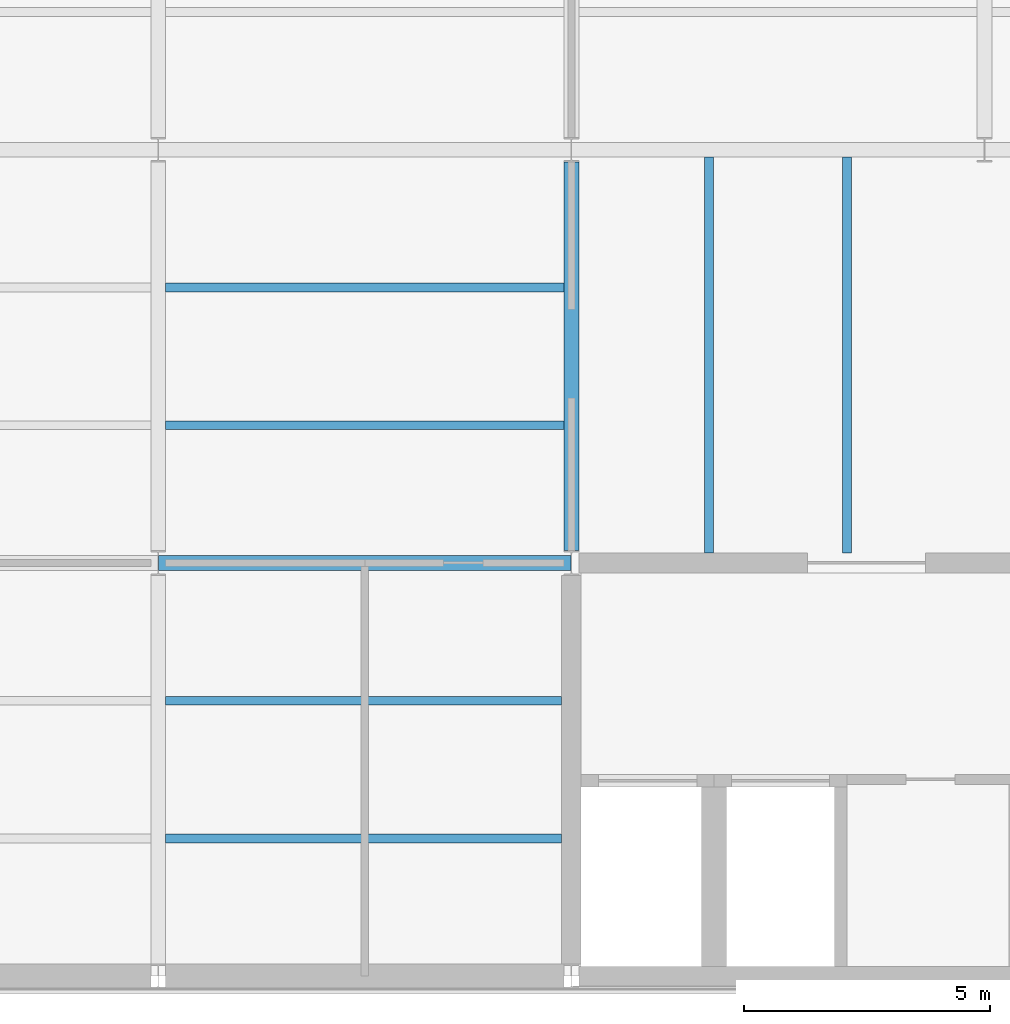
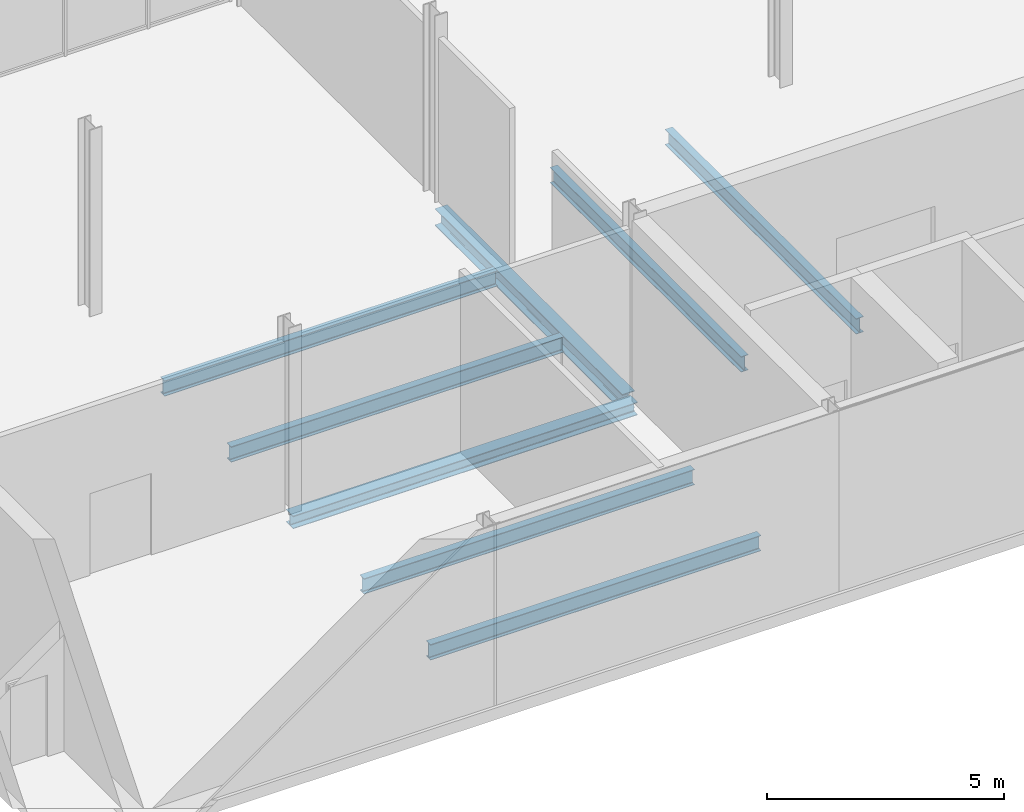
# One storey, part 21 of 61: 8 beams.
"""IFC4 building model written with IfcOpenShell, lengths in metres."""

from ifc_helpers import new_model, si_unit, direction, frame, origin, origin_2d, place, context, subcontext, project, spatial, i_section, extrude, material, material_profile, profile_set, type_object, element, save


model = new_model("IFC4")

# Units and contexts
model_context = context("Model", 3, precision=1e-05, world=origin(), true_north=direction((0.0, 1.0)))
body_context = subcontext(model_context, "Body", "Model", "MODEL_VIEW")
ifc_project = project(units=[si_unit("LENGTHUNIT", "METRE"), si_unit("AREAUNIT", "SQUARE_METRE"), si_unit("VOLUMEUNIT", "CUBIC_METRE"), si_unit("PLANEANGLEUNIT", "RADIAN"), si_unit("MASSUNIT", "GRAM", prefix="KILO")], contexts=[model_context])

# Site, building, storey
site_placement = place(None, origin())
site = spatial("IfcSite", under=ifc_project, at=site_placement, CompositionType="ELEMENT")
building_placement = place(site_placement, origin())
building = spatial("IfcBuilding", under=site, at=building_placement, Name="Galleria Vessillo Department Store", CompositionType="ELEMENT")
storey_placement = place(building_placement, frame((0.0, 0.0, 11.39990234375)))
storey = spatial("IfcBuildingStorey", under=building, at=storey_placement, Name="L02", CompositionType="ELEMENT", Elevation=11.39990234375)

# Beams
ifc_material_1 = material(Name="Steel S355 J2", Category="steel")
ifc_material_profile_1 = material_profile(ifc_material_1, i_section(OverallWidth=0.300048828125, OverallDepth=0.43994140625, WebThickness=0.011474609375, FlangeThickness=0.02099609375, FilletRadius=0.027099609375, at=origin_2d()), Name="HEA 450")
ifc_profile_set_1 = profile_set([ifc_material_profile_1], Name="Steel S355 J2")
beam_type_1 = type_object("IfcBeamType", Name="Floor girder HEA 450", PredefinedType="BEAM", material=ifc_profile_set_1)
beam_1_placement = place(storey_placement, frame((100.800048828125, 8.650146484375, -0.369873046875), z_axis=(0.0, 1.0, 0.0), x_axis=(-1.0, 0.0, 0.0)))
element("IfcBeam", 1, at=beam_1_placement, inside=storey, type_object=beam_type_1, Name="S-BM-L02-GI-y100800-8650", PredefinedType="BEAM", context=body_context, shape_type="SweptSolid", body=[
    extrude(i_section(OverallWidth=0.300048828125, OverallDepth=0.43994140625, WebThickness=0.011474609375, FlangeThickness=0.02099609375, FilletRadius=0.027099609375, at=origin_2d()), origin(), (0.0, 0.0, 1.0), 7.899658203125),
])
ifc_material_2 = material(Name="Steel S355 J2", Category="steel")
ifc_material_profile_2 = material_profile(ifc_material_2, i_section(OverallWidth=0.179931640625, OverallDepth=0.39990234375, WebThickness=0.008544921875, FlangeThickness=0.013427734375, FilletRadius=0.02099609375, at=origin_2d()), Name="IPE 400")
ifc_profile_set_2 = profile_set([ifc_material_profile_2], Name="Steel S355 J2")
beam_type_2 = type_object("IfcBeamType", Name="Floor joist IPE 400", PredefinedType="JOIST", material=ifc_profile_set_2)
for number, where, z_axis, x_axis, name in (
    (2, (92.550048828125, 2.800048828125, -0.349853515625), (1.0, 0.0, 0.0), (0.0, 1.0, 0.0), "S-BM-L02-JO-x2800-92550"),
    (3, (92.550048828125, 5.60009765625, -0.349853515625), (1.0, 0.0, 0.0), (0.0, 1.0, 0.0), "S-BM-L02-JO-x5600-92550"),
):
    element("IfcBeam", number, at=place(storey_placement, frame(where, z_axis=z_axis, x_axis=x_axis)), inside=storey, type_object=beam_type_2, Name=name, PredefinedType="JOIST", context=body_context, shape_type="SweptSolid", body=[
        extrude(i_section(OverallWidth=0.179931640625, OverallDepth=0.39990234375, WebThickness=0.008544921875, FlangeThickness=0.013427734375, FilletRadius=0.02099609375, at=origin_2d()), origin(), (0.0, 0.0, 1.0), 8.0498046875),
    ])
for number, where, z_axis, x_axis, name in (
    (4, (92.550048828125, 11.199951171875, -0.349853515625), (1.0, 0.0, 0.0), (0.0, 1.0, 0.0), "S-BM-L02-JO-x11200-92550"),
    (5, (92.550048828125, 14.0, -0.349853515625), (1.0, 0.0, 0.0), (0.0, 1.0, 0.0), "S-BM-L02-JO-x14000-92550"),
):
    element("IfcBeam", number, at=place(storey_placement, frame(where, z_axis=z_axis, x_axis=x_axis)), inside=storey, type_object=beam_type_2, Name=name, PredefinedType="JOIST", context=body_context, shape_type="SweptSolid", body=[
        extrude(i_section(OverallWidth=0.179931640625, OverallDepth=0.39990234375, WebThickness=0.008544921875, FlangeThickness=0.013427734375, FilletRadius=0.02099609375, at=origin_2d()), origin(), (0.0, 0.0, 1.0), 8.099853515625),
    ])
for number, where, z_axis, x_axis, name in (
    (6, (103.60009765625, 8.60009765625, -0.349853515625), (0.0, 1.0, 0.0), (-1.0, 0.0, 0.0), "S-BM-L02-JO-y103600-8600"),
    (7, (106.39990234375, 8.60009765625, -0.349853515625), (0.0, 1.0, 0.0), (-1.0, 0.0, 0.0), "S-BM-L02-JO-y106400-8600"),
):
    element("IfcBeam", number, at=place(storey_placement, frame(where, z_axis=z_axis, x_axis=x_axis)), inside=storey, type_object=beam_type_2, Name=name, PredefinedType="JOIST", context=body_context, shape_type="SweptSolid", body=[
        extrude(i_section(OverallWidth=0.179931640625, OverallDepth=0.39990234375, WebThickness=0.008544921875, FlangeThickness=0.013427734375, FilletRadius=0.02099609375, at=origin_2d()), origin(), (0.0, 0.0, 1.0), 8.0498046875),
    ])
ifc_material_3 = material(Name="Steel S355 J2", Category="steel")
ifc_material_profile_3 = material_profile(ifc_material_3, i_section(OverallWidth=0.300048828125, OverallDepth=0.330078125, WebThickness=0.009521484375, FlangeThickness=0.0166015625, FilletRadius=0.027099609375, at=origin_2d()), Name="HEA 340")
ifc_profile_set_3 = profile_set([ifc_material_profile_3], Name="Steel S355 J2")
beam_type_3 = type_object("IfcBeamType", Name="Floor tie girder HEA 340", PredefinedType="BEAM", material=ifc_profile_set_3)
beam_2_placement = place(storey_placement, frame((92.407470703125, 8.39990234375, -0.31494140625), z_axis=(1.0, 0.0, 0.0), x_axis=(0.0, 1.0, 0.0)))
element("IfcBeam", 8, at=beam_2_placement, inside=storey, type_object=beam_type_3, Name="S-BM-L02-TI-x8400-92407", PredefinedType="BEAM", context=body_context, shape_type="SweptSolid", body=[
    extrude(i_section(OverallWidth=0.300048828125, OverallDepth=0.330078125, WebThickness=0.009521484375, FlangeThickness=0.0166015625, FilletRadius=0.027099609375, at=origin_2d()), origin(), (0.0, 0.0, 1.0), 8.38525390625),
])

save(model, "model.ifc")
